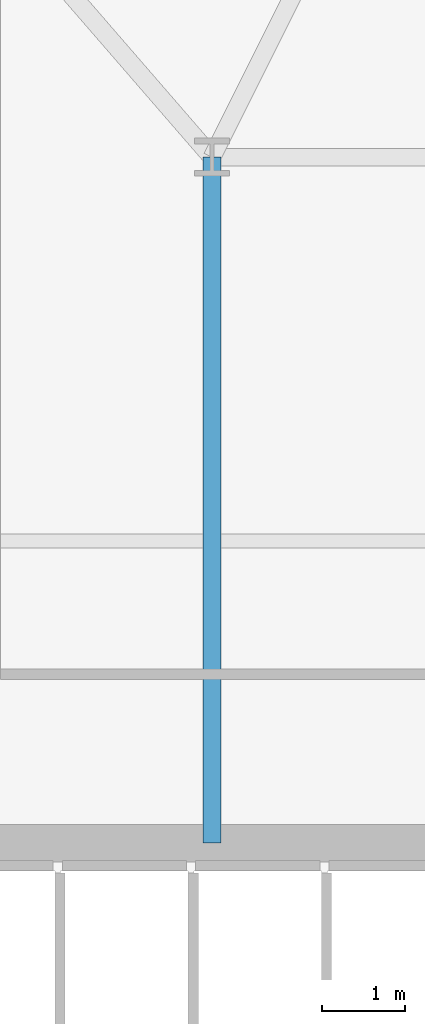
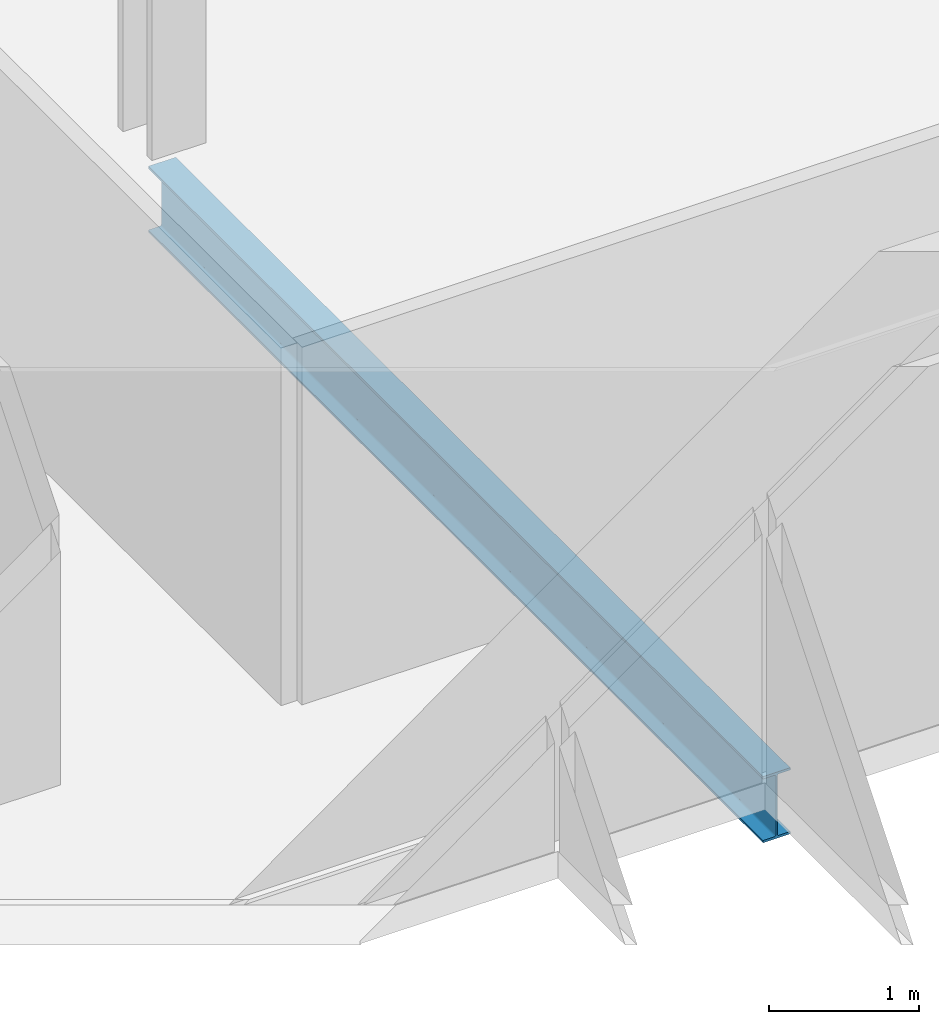
# One storey, part 6 of 33: 1 beam.
"""IFC4 building model written with IfcOpenShell, lengths in metres."""

from ifc_helpers import new_model, si_unit, direction, frame, origin, origin_2d, place, context, subcontext, project, spatial, i_section, extrude, material, material_profile, profile_set, type_object, element, save


model = new_model("IFC4")

# Units and contexts
model_context = context("Model", 3, precision=1e-05, world=origin(), true_north=direction((0.0, 1.0)))
body_context = subcontext(model_context, "Body", "Model", "MODEL_VIEW")
ifc_project = project(units=[si_unit("LENGTHUNIT", "METRE"), si_unit("AREAUNIT", "SQUARE_METRE"), si_unit("VOLUMEUNIT", "CUBIC_METRE"), si_unit("PLANEANGLEUNIT", "RADIAN"), si_unit("MASSUNIT", "GRAM", prefix="KILO")], contexts=[model_context])

# Site, building, storey
site_placement = place(None, origin())
site = spatial("IfcSite", under=ifc_project, at=site_placement, CompositionType="ELEMENT")
building_placement = place(site_placement, origin())
building = spatial("IfcBuilding", under=site, at=building_placement, Name="Ndaravel Arena Tower", CompositionType="ELEMENT")
storey_placement = place(building_placement, frame((0.0, 0.0, 89.199951171875)))
storey = spatial("IfcBuildingStorey", under=building, at=storey_placement, Name="L20", CompositionType="ELEMENT", Elevation=89.199951171875)

# Beam
ifc_material = material(Name="Steel S355", Category="steel")
ifc_material_profile = material_profile(ifc_material, i_section(OverallWidth=0.210693359375, OverallDepth=0.53955078125, WebThickness=0.01171875, FlangeThickness=0.018798828125, FilletRadius=0.0126953125, at=origin_2d()), Name="UB 533x210x109")
ifc_profile_set = profile_set([ifc_material_profile], Name="Steel S355")
beam_type = type_object("IfcBeamType", Name="BM-GIRD-UB533", PredefinedType="BEAM", material=ifc_profile_set)
beam_placement = place(storey_placement, frame((34.199951171875, 14.97998046875, -0.48974609375), z_axis=(0.0, 1.0, 0.0), x_axis=(-1.0, 0.0, 0.0)))
element("IfcBeam", 1, at=beam_placement, inside=storey, type_object=beam_type, Name="L20 Spine Link Girder SLG-01", PredefinedType="BEAM", context=body_context, shape_type="SweptSolid", body=[
    extrude(i_section(OverallWidth=0.210693359375, OverallDepth=0.53955078125, WebThickness=0.01171875, FlangeThickness=0.018798828125, FilletRadius=0.0126953125, at=origin_2d()), origin(), (0.0, 0.0, 1.0), 8.219970703125),
])

save(model, "model.ifc")
